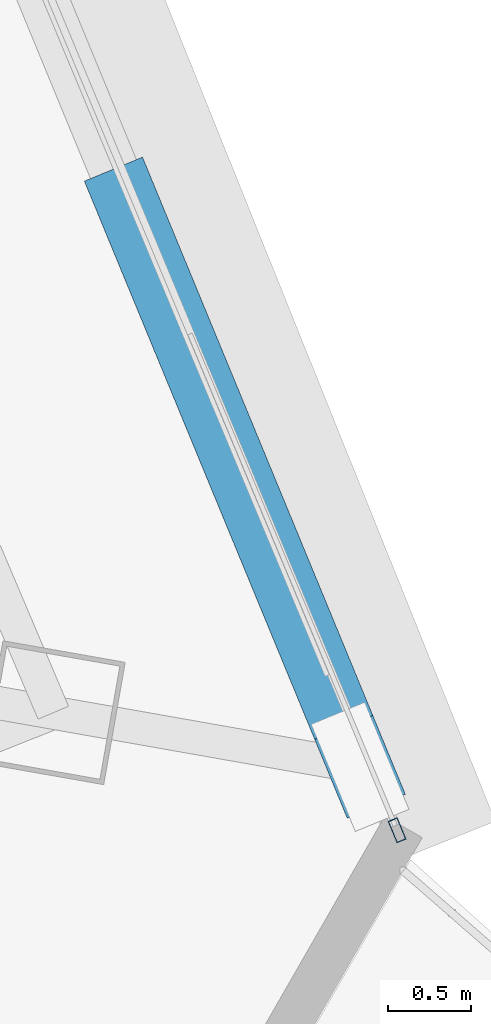
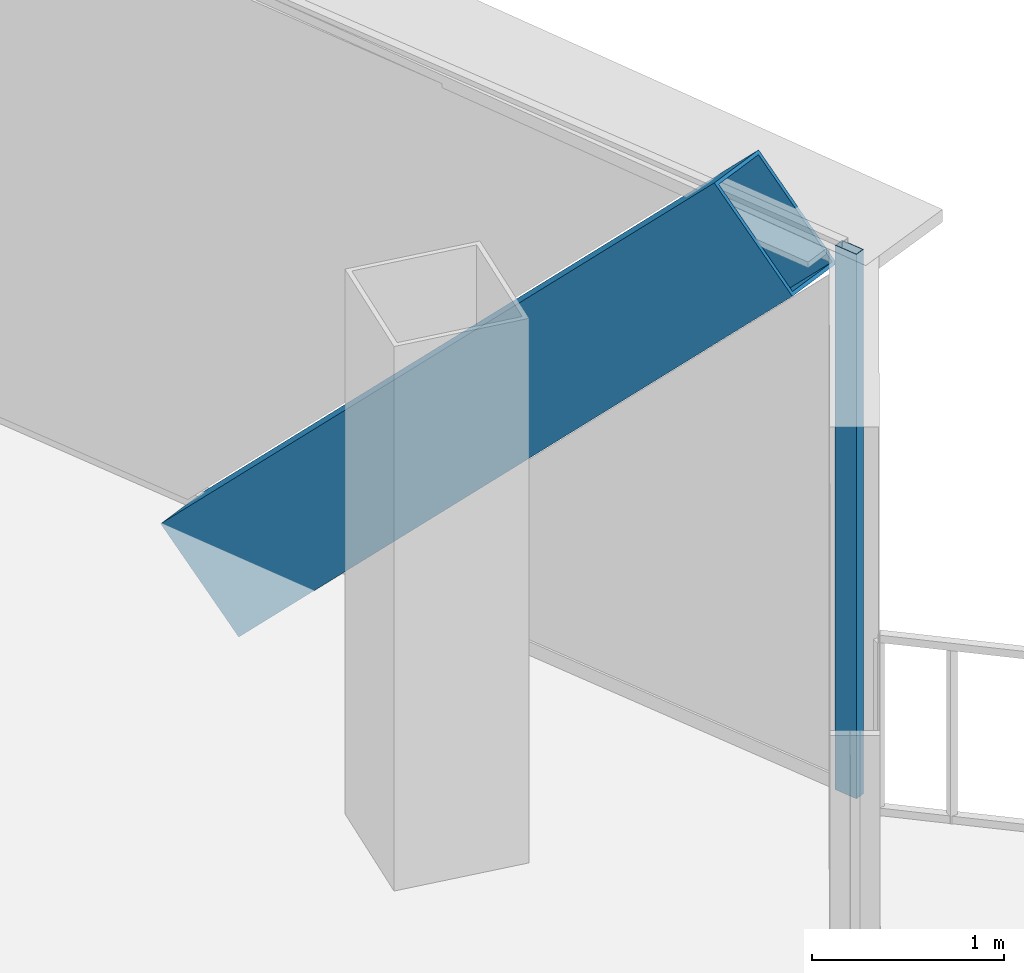
# One storey, part 15 of 35: 2 members, 1 element without a shape of its own.
"""IFC4 building model written with IfcOpenShell, lengths in metres."""

from ifc_helpers import new_model, si_unit, direction, frame, origin, origin_2d, place, context, subcontext, project, spatial, hollow_rectangle, extrude, source, transform, mapped, material, layer, layer_set, material_profile, profile_set, type_object, element, aggregate, save


model = new_model("IFC4")

# Units and contexts
model_context = context("Model", 3, precision=1e-05, world=origin(), true_north=direction((0.0, 1.0)))
body_context = subcontext(model_context, "Body", "Model", "MODEL_VIEW")
ifc_project = project(units=[si_unit("LENGTHUNIT", "METRE"), si_unit("AREAUNIT", "SQUARE_METRE"), si_unit("VOLUMEUNIT", "CUBIC_METRE"), si_unit("PLANEANGLEUNIT", "RADIAN"), si_unit("MASSUNIT", "GRAM", prefix="KILO"), si_unit("THERMODYNAMICTEMPERATUREUNIT", "KELVIN"), si_unit("POWERUNIT", "WATT")], contexts=[model_context])

# Site, building, storey
site_placement = place(None, origin())
site = spatial("IfcSite", under=ifc_project, at=site_placement, CompositionType="ELEMENT")
building_placement = place(site_placement, origin())
building = spatial("IfcBuilding", under=site, at=building_placement, Name="Yunzhuo Pagoda Commons", CompositionType="ELEMENT")
storey_placement = place(building_placement, frame((0.0, 0.0, 299.93994140625)))
storey = spatial("IfcBuildingStorey", under=building, at=storey_placement, Name="L75", CompositionType="ELEMENT", Elevation=299.93994140625)

# Member
ifc_material_1 = material(Name="Structural steel Q355B", Category="steel")
ifc_material_profile_1 = material_profile(ifc_material_1, hollow_rectangle(XDim=0.3798828125, YDim=0.719970703125, WallThickness=0.02001953125, at=origin_2d()), Name="Structural steel Q355B")
ifc_profile_set_1 = profile_set([ifc_material_profile_1], Name="Structural steel Q355B")
member_type_1 = type_object("IfcMemberType", Name="M-DL3 Brace BOX 720x380x20", PredefinedType="BRACE", material=ifc_profile_set_1)
shared_shape_1 = source(origin(), body_context, "Body", "SweptSolid", [
    extrude(hollow_rectangle(XDim=0.3798828125, YDim=0.719970703125, WallThickness=0.02001953125, at=origin_2d()), origin(), (0.0, 0.0, 1.0), 5.217041015625),
])
member_1_placement = place(storey_placement, frame((77.122802734375, 31.69140625, -0.260009765625), z_axis=(0.266649685791, -0.64631428755, 0.71496558433), x_axis=(0.924415889146, 0.38138597758, 0.0)))
element("IfcMember", 1, at=member_1_placement, inside=storey, type_object=member_type_1, Name="L75 facade diamond brace F2.1L", PredefinedType="BRACE", context=body_context, shape_type="MappedRepresentation", body=[
    mapped(shared_shape_1, transform((0.0, 0.0, 0.0), scale=1.0)),
])

# Curtain wall, member
ifc_material_2 = material(Name="Anodized aluminium 6063-T6", Category="aluminium")
ifc_layer = layer(ifc_material_2, 0.139892578125)
ifc_layer_set = layer_set([ifc_layer], Name="Anodized aluminium 6063-T6")
curtain_wall_type = type_object("IfcCurtainWallType", Name="CW-HI High-Zone Ribbon Curtain Wall", PredefinedType="NOTDEFINED", material=ifc_layer_set)
curtain_wall_placement = place(storey_placement, origin())
curtain_wall = element("IfcCurtainWall", 2, at=curtain_wall_placement, inside=storey, type_object=curtain_wall_type, Name="L75 curtain wall CW-L75-F2B2", PredefinedType="NOTDEFINED")
ifc_material_profile_2 = material_profile(ifc_material_2, hollow_rectangle(XDim=0.06005859375, YDim=0.139892578125, WallThickness=0.00341796875, at=origin_2d()), Name="Anodized aluminium 6063-T6")
ifc_profile_set_2 = profile_set([ifc_material_profile_2], Name="Anodized aluminium 6063-T6")
member_type_2 = type_object("IfcMemberType", Name="CW-HI-M Mullion RHS 140x60x3.5", PredefinedType="MULLION", material=ifc_profile_set_2)
shared_shape_2 = source(origin(), body_context, "Body", "SweptSolid", [
    extrude(hollow_rectangle(XDim=0.06005859375, YDim=0.139892578125, WallThickness=0.00341796875, at=origin_2d()), origin(), (0.0, 0.0, 1.0), 3.469970703125),
])
member_2_placement = place(storey_placement, frame((78.73779296875, 27.9365234375, 0.0), z_axis=(0.0, 0.0, 1.0), x_axis=(-0.922876210298, -0.385096741697, 0.0)))
member_2 = element("IfcMember", 3, at=member_2_placement, type_object=member_type_2, Name="CW mullion 1", PredefinedType="MULLION", context=body_context, shape_type="MappedRepresentation", body=[
    mapped(shared_shape_2, transform((0.0, 0.0, 0.0), scale=1.0)),
])
aggregate(curtain_wall, [member_2])

save(model, "model.ifc")
